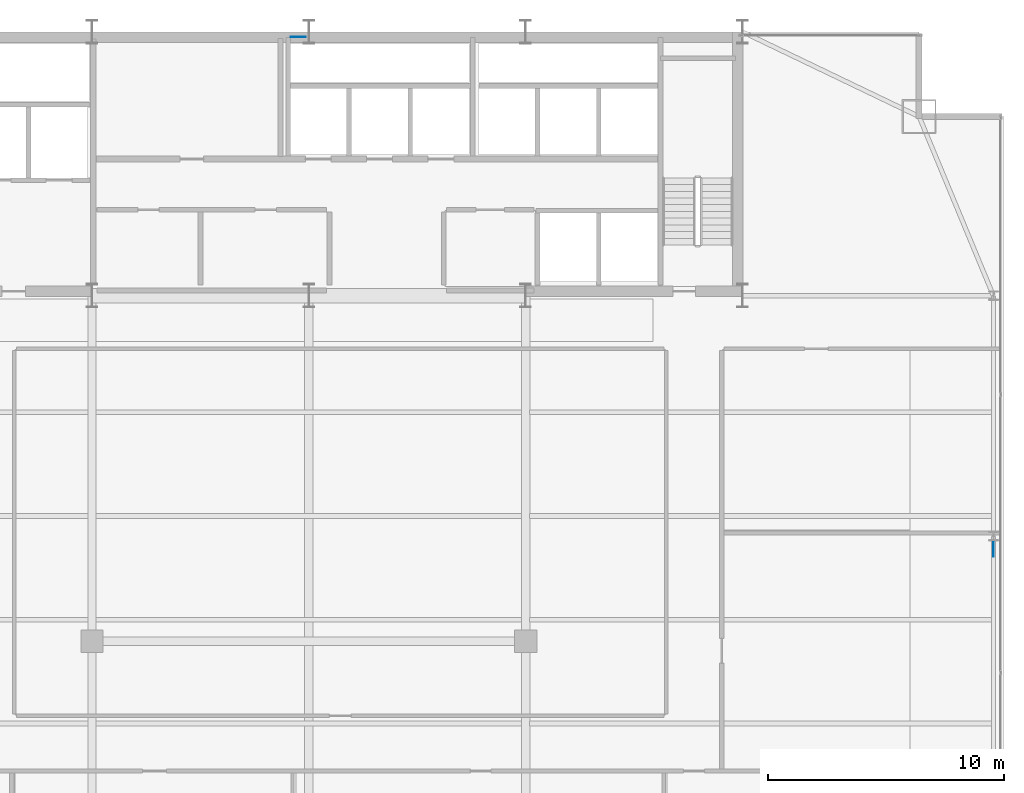
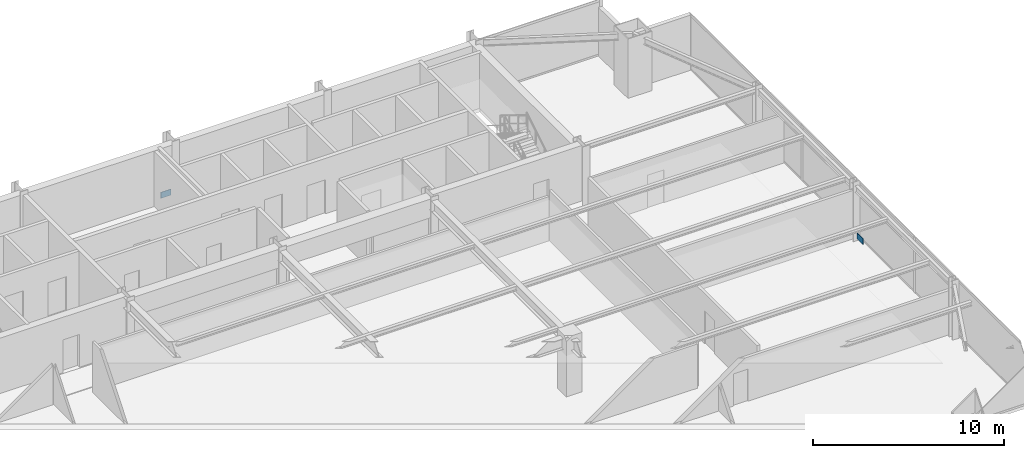
# One storey, part 28 of 33: 2 plates.
"""IFC4 building model written with IfcOpenShell, lengths in metres."""

from ifc_helpers import new_model, si_unit, direction, frame, origin, origin_2d, place, context, subcontext, project, spatial, rectangle, extrude, source, transform, mapped, material, layer, layer_set, type_object, type_shapes, element, save


model = new_model("IFC4")

# Units and contexts
model_context = context("Model", 3, precision=1e-05, world=origin(), true_north=direction((0.0, 1.0)))
body_context = subcontext(model_context, "Body", "Model", "MODEL_VIEW")
ifc_project = project(units=[si_unit("LENGTHUNIT", "METRE"), si_unit("AREAUNIT", "SQUARE_METRE"), si_unit("VOLUMEUNIT", "CUBIC_METRE"), si_unit("PLANEANGLEUNIT", "RADIAN"), si_unit("MASSUNIT", "GRAM", prefix="KILO")], contexts=[model_context])

# Site, building, storey
site_placement = place(None, origin())
site = spatial("IfcSite", under=ifc_project, at=site_placement, CompositionType="ELEMENT")
building_placement = place(site_placement, origin())
building = spatial("IfcBuilding", under=site, at=building_placement, Name="Varnel Quay Broadcast Tower", CompositionType="ELEMENT")
storey_placement = place(building_placement, frame((0.0, 0.0, 129.60009765625)))
storey = spatial("IfcBuildingStorey", under=building, at=storey_placement, Name="L31", CompositionType="ELEMENT", Elevation=129.60009765625)

# Plates
ifc_material = material(Name="Structural Steel CSA G40.21 350WT", Category="steel")
ifc_layer = layer(ifc_material, 0.031982421875, Name="Structural Steel CSA G40.21 350WT")
ifc_layer_set = layer_set([ifc_layer], Name="Structural Steel CSA G40.21 350WT")
plate_type = type_object("IfcPlateType", Name="Plate_EndCap", PredefinedType="USERDEFINED", material=ifc_layer_set)
shared_shape = source(origin(), body_context, "Body", "SweptSolid", [
    extrude(rectangle(XDim=0.6201171875, YDim=0.031982421875, at=origin_2d()), origin(), (0.0, 0.0, 1.0), 0.3798828125),
])
type_shapes(plate_type, [shared_shape])
for number, where, z_axis, x_axis, name in (
    (1, (33.54931640625, 46.580078125, 0.19970703125), (0.0, 0.0, 1.0), (1.0, 0.0, 0.0), "Zone 2 Mega-Brace N-CT3 Diag B2 End Connection Plate P0"),
    (2, (63.050048828125, 24.822509765625, 0.170166015625), (0.0, 0.0, 1.0), (0.0, 1.0, 0.0), "Zone 2 Mega-Brace E-FT3 Diag B2 End Connection Plate P0"),
):
    element("IfcPlate", number, at=place(storey_placement, frame(where, z_axis=z_axis, x_axis=x_axis)), inside=storey, type_object=plate_type, Name=name, ObjectType="CAP_PLATE", PredefinedType="USERDEFINED", context=body_context, shape_type="MappedRepresentation", body=[
        mapped(shared_shape, transform((0.0, 0.0, 0.0), x_axis=(1.0, 0.0, 0.0), y_axis=(0.0, 1.0, 0.0), z_axis=(0.0, 0.0, 1.0), scale=1.0)),
    ])

save(model, "model.ifc")
